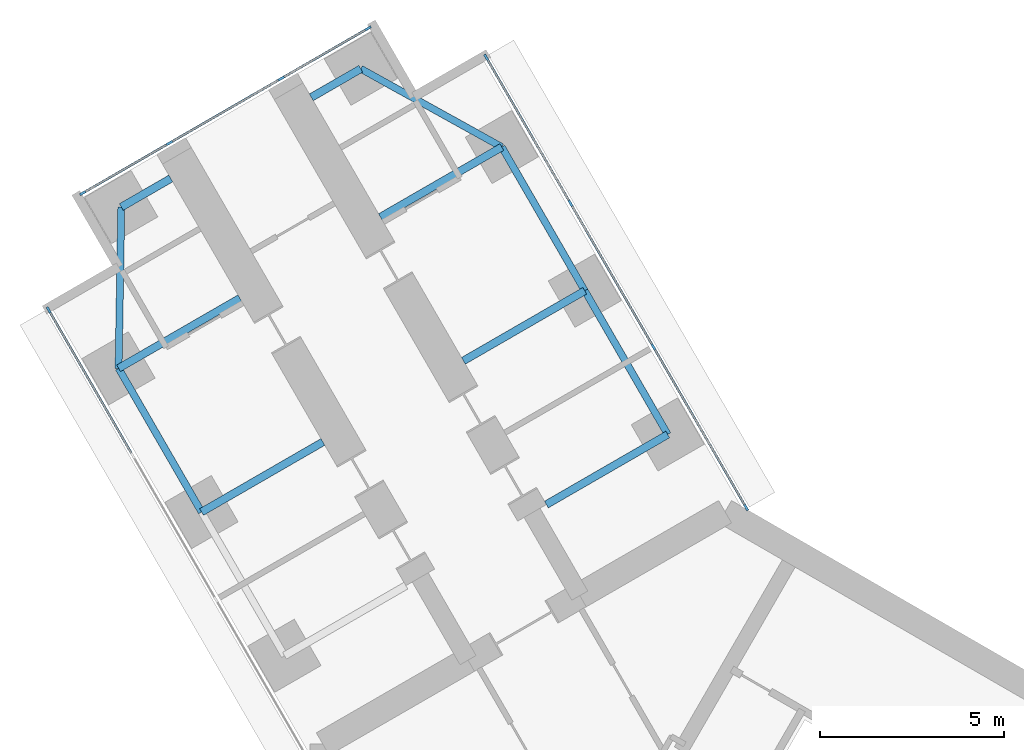
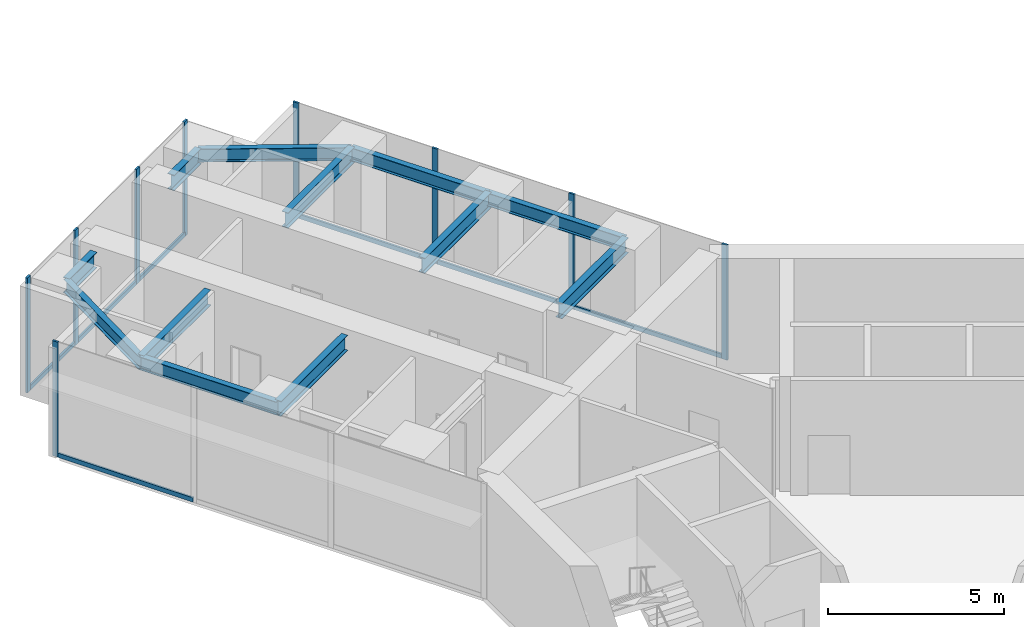
# One storey, part 7 of 24: 16 members, 12 beams, 3 elements without a shape of their own.
"""IFC4 building model written with IfcOpenShell, lengths in metres."""

from ifc_helpers import new_model, si_unit, direction, frame, origin, origin_2d, place, context, subcontext, project, spatial, rectangle, i_section, extrude, material, material_profile, profile_set, type_object, element, aggregate, save


model = new_model("IFC4")

# Units and contexts
model_context = context("Model", 3, precision=1e-05, world=origin(), true_north=direction((0.0, 1.0)))
body_context = subcontext(model_context, "Body", "Model", "MODEL_VIEW")
ifc_project = project(units=[si_unit("LENGTHUNIT", "METRE"), si_unit("AREAUNIT", "SQUARE_METRE"), si_unit("VOLUMEUNIT", "CUBIC_METRE"), si_unit("PLANEANGLEUNIT", "RADIAN"), si_unit("MASSUNIT", "GRAM", prefix="KILO")], contexts=[model_context])

# Site, building, storey
site_placement = place(None, origin())
site = spatial("IfcSite", under=ifc_project, at=site_placement, CompositionType="ELEMENT")
building_placement = place(site_placement, origin())
building = spatial("IfcBuilding", under=site, at=building_placement, Name="Upepo Twin Towers", CompositionType="ELEMENT")
storey_placement = place(building_placement, frame((0.0, 0.0, 52.5)))
storey = spatial("IfcBuildingStorey", under=building, at=storey_placement, Name="L12", CompositionType="ELEMENT", Elevation=52.5)

# Beams
ifc_material_1 = material(Name="Steel S355", Category="steel")
ifc_material_profile_1 = material_profile(ifc_material_1, i_section(OverallWidth=0.1904296875, OverallDepth=0.45703125, WebThickness=0.009033203125, FlangeThickness=0.014404296875, FilletRadius=0.01025390625, at=origin_2d()), Name="UB 457x191x74")
ifc_profile_set_1 = profile_set([ifc_material_profile_1], Name="Steel S355")
beam_type_1 = type_object("IfcBeamType", Name="Beam UB 457x191x74", PredefinedType="BEAM", material=ifc_profile_set_1)
beam_1_placement = place(storey_placement, frame((-14.196044921875, 12.58837890625, 3.571533203125), z_axis=(-0.499990139034, 0.866031096941, 0.0), x_axis=(-0.866031096941, -0.499990139034, 0.0)))
element("IfcBeam", 1, at=beam_1_placement, inside=storey, type_object=beam_type_1, Name="T1 edge beam BL 18.0-22.5", PredefinedType="BEAM", context=body_context, shape_type="SweptSolid", body=[
    extrude(i_section(OverallWidth=0.1904296875, OverallDepth=0.45703125, WebThickness=0.009033203125, FlangeThickness=0.014404296875, FilletRadius=0.01025390625, at=origin_2d()), origin(), (0.0, 0.0, 1.0), 4.5),
])
beam_2_placement = place(storey_placement, frame((-16.446044921875, 16.485595703125, 3.571533203125), z_axis=(0.016803880528, 0.999858804832, 0.0), x_axis=(-0.999858804832, 0.016803880528, 0.0)))
element("IfcBeam", 2, at=beam_2_placement, inside=storey, type_object=beam_type_1, Name="T1 nose edge beam BL", PredefinedType="BEAM", context=body_context, shape_type="SweptSolid", body=[
    extrude(i_section(OverallWidth=0.1904296875, OverallDepth=0.45703125, WebThickness=0.009033203125, FlangeThickness=0.014404296875, FilletRadius=0.01025390625, at=origin_2d()), origin(), (0.0, 0.0, 1.0), 4.373291015625),
])
beam_3_placement = place(storey_placement, frame((-1.553955078125, 14.69140625, 3.571533203125), z_axis=(-0.500013631625, 0.866017533419, 0.0), x_axis=(-0.866017533419, -0.500013631625, 0.0)))
element("IfcBeam", 3, at=beam_3_placement, inside=storey, type_object=beam_type_1, Name="T1 edge beam BR 13.5-18.0", PredefinedType="BEAM", context=body_context, shape_type="SweptSolid", body=[
    extrude(i_section(OverallWidth=0.1904296875, OverallDepth=0.45703125, WebThickness=0.009033203125, FlangeThickness=0.014404296875, FilletRadius=0.01025390625, at=origin_2d()), origin(), (0.0, 0.0, 1.0), 4.499755859375),
])
beam_4_placement = place(storey_placement, frame((-3.803955078125, 18.58837890625, 3.571533203125), z_axis=(-0.499990139034, 0.866031096941, 0.0), x_axis=(-0.866031096941, -0.499990139034, 0.0)))
element("IfcBeam", 4, at=beam_4_placement, inside=storey, type_object=beam_type_1, Name="T1 edge beam BR 18.0-22.5", PredefinedType="BEAM", context=body_context, shape_type="SweptSolid", body=[
    extrude(i_section(OverallWidth=0.1904296875, OverallDepth=0.45703125, WebThickness=0.009033203125, FlangeThickness=0.014404296875, FilletRadius=0.01025390625, at=origin_2d()), origin(), (0.0, 0.0, 1.0), 4.5),
])
beam_5_placement = place(storey_placement, frame((-6.053955078125, 22.485595703125, 3.571533203125), z_axis=(-0.874312600038, 0.485363242752, 0.0), x_axis=(-0.485363242752, -0.874312600038, 0.0)))
element("IfcBeam", 5, at=beam_5_placement, inside=storey, type_object=beam_type_1, Name="T1 nose edge beam BR", PredefinedType="BEAM", context=body_context, shape_type="SweptSolid", body=[
    extrude(i_section(OverallWidth=0.1904296875, OverallDepth=0.45703125, WebThickness=0.009033203125, FlangeThickness=0.014404296875, FilletRadius=0.01025390625, at=origin_2d()), origin(), (0.0, 0.0, 1.0), 4.373046875),
])
ifc_material_2 = material(Name="Steel S355", Category="steel")
ifc_material_profile_2 = material_profile(ifc_material_2, i_section(OverallWidth=0.2119140625, OverallDepth=0.54443359375, WebThickness=0.0126953125, FlangeThickness=0.021240234375, FilletRadius=0.0126953125, at=origin_2d()), Name="UB 533x210x122")
ifc_profile_set_2 = profile_set([ifc_material_profile_2], Name="Steel S355")
beam_type_2 = type_object("IfcBeamType", Name="Beam UB 533x210x122", PredefinedType="BEAM", material=ifc_profile_set_2)
for number, where, z_axis, x_axis, name in (
    (6, (-16.37255859375, 20.858154296875, 3.52783203125), (0.866043940782, 0.499967891604, 0.0), (-0.499967891604, 0.866043940782, 0.0), "T1 nose beam BL"),
    (7, (-9.87744140625, 24.608154296875, 3.52783203125), (-0.866043940782, -0.499967891604, 0.0), (0.499967891604, -0.866043940782, 0.0), "T1 nose beam BR"),
):
    element("IfcBeam", number, at=place(storey_placement, frame(where, z_axis=z_axis, x_axis=x_axis)), inside=storey, type_object=beam_type_2, Name=name, PredefinedType="BEAM", context=body_context, shape_type="SweptSolid", body=[
        extrude(i_section(OverallWidth=0.2119140625, OverallDepth=0.54443359375, WebThickness=0.0126953125, FlangeThickness=0.021240234375, FilletRadius=0.0126953125, at=origin_2d()), origin(), (0.0, 0.0, 1.0), 1.5498046875),
    ])
ifc_material_3 = material(Name="Steel S355", Category="steel")
ifc_material_profile_3 = material_profile(ifc_material_3, i_section(OverallWidth=0.209228515625, OverallDepth=0.533203125, WebThickness=0.010009765625, FlangeThickness=0.015625, FilletRadius=0.0126953125, at=origin_2d()), Name="UB 533x210x92")
ifc_profile_set_3 = profile_set([ifc_material_profile_3], Name="Steel S355")
beam_type_3 = type_object("IfcBeamType", Name="Beam UB 533x210x92", PredefinedType="BEAM", material=ifc_profile_set_3)
beam_6_placement = place(storey_placement, frame((-14.196044921875, 12.58837890625, 3.533447265625), z_axis=(0.866000483506, 0.500043160704, 0.0), x_axis=(-0.500043160704, 0.866000483506, 0.0)))
element("IfcBeam", 8, at=beam_6_placement, inside=storey, type_object=beam_type_3, Name="T1 girder BL at 18.0", PredefinedType="BEAM", context=body_context, shape_type="SweptSolid", body=[
    extrude(i_section(OverallWidth=0.209228515625, OverallDepth=0.533203125, WebThickness=0.010009765625, FlangeThickness=0.015625, FilletRadius=0.0126953125, at=origin_2d()), origin(), (0.0, 0.0, 1.0), 3.800048828125),
])
beam_7_placement = place(storey_placement, frame((-16.446044921875, 16.485595703125, 3.533447265625), z_axis=(0.866028304915, 0.499994975061, 0.0), x_axis=(-0.499994975061, 0.866028304915, 0.0)))
element("IfcBeam", 9, at=beam_7_placement, inside=storey, type_object=beam_type_3, Name="T1 girder BL at 22.5", PredefinedType="BEAM", context=body_context, shape_type="SweptSolid", body=[
    extrude(i_section(OverallWidth=0.209228515625, OverallDepth=0.533203125, WebThickness=0.010009765625, FlangeThickness=0.015625, FilletRadius=0.0126953125, at=origin_2d()), origin(), (0.0, 0.0, 1.0), 3.7998046875),
])
beam_8_placement = place(storey_placement, frame((-1.553955078125, 14.69140625, 3.533447265625), z_axis=(-0.866000483506, -0.500043160704, 0.0), x_axis=(0.500043160704, -0.866000483506, 0.0)))
element("IfcBeam", 10, at=beam_8_placement, inside=storey, type_object=beam_type_3, Name="T1 girder BR at 13.5", PredefinedType="BEAM", context=body_context, shape_type="SweptSolid", body=[
    extrude(i_section(OverallWidth=0.209228515625, OverallDepth=0.533203125, WebThickness=0.010009765625, FlangeThickness=0.015625, FilletRadius=0.0126953125, at=origin_2d()), origin(), (0.0, 0.0, 1.0), 3.800048828125),
])
for number, where, z_axis, x_axis, name in (
    (11, (-3.803955078125, 18.58837890625, 3.533447265625), (-0.866028304915, -0.499994975061, 0.0), (0.499994975061, -0.866028304915, 0.0), "T1 girder BR at 18.0"),
    (12, (-6.053955078125, 22.485595703125, 3.533447265625), (-0.866028304915, -0.499994975061, 0.0), (0.499994975061, -0.866028304915, 0.0), "T1 girder BR at 22.5"),
):
    element("IfcBeam", number, at=place(storey_placement, frame(where, z_axis=z_axis, x_axis=x_axis)), inside=storey, type_object=beam_type_3, Name=name, PredefinedType="BEAM", context=body_context, shape_type="SweptSolid", body=[
        extrude(i_section(OverallWidth=0.209228515625, OverallDepth=0.533203125, WebThickness=0.010009765625, FlangeThickness=0.015625, FilletRadius=0.0126953125, at=origin_2d()), origin(), (0.0, 0.0, 1.0), 3.7998046875),
    ])

# Curtain wall, member
ifc_material_4 = material(Name="Aluminium and fritted glass", Category="aluminium")
curtain_wall_type = type_object("IfcCurtainWallType", Name="Tower curtain wall TW1, fritted glass", PredefinedType="NOTDEFINED", material=ifc_material_4)
curtain_wall_1_placement = place(storey_placement, origin())
curtain_wall_1 = element("IfcCurtainWall", 13, at=curtain_wall_1_placement, inside=storey, type_object=curtain_wall_type, Name="T1 L12 wing B flank L curtain wall", PredefinedType="NOTDEFINED")
ifc_material_5 = material(Name="Aluminium mullion", Category="aluminium")
ifc_material_profile_4 = material_profile(ifc_material_5, rectangle(XDim=0.06494140625, YDim=0.179931640625, at=origin_2d()), Name="MULLION 65x180")
ifc_profile_set_4 = profile_set([ifc_material_profile_4], Name="Aluminium mullion")
member_type_1 = type_object("IfcMemberType", Name="Mullion 65x180 TW1", PredefinedType="MULLION", material=ifc_profile_set_4)
member_1_placement = place(storey_placement, frame((-18.341064453125, 18.067626953125, 0.0), z_axis=(0.0, 0.0, 1.0), x_axis=(-0.866025389682, -0.500000024426, 0.0)))
member_1 = element("IfcMember", 14, at=member_1_placement, type_object=member_type_1, Name="T1 L12 wing B flank L curtain wall mullion 4", PredefinedType="MULLION", context=body_context, shape_type="SweptSolid", body=[
    extrude(rectangle(XDim=0.06494140625, YDim=0.179931640625, at=origin_2d()), origin(), (0.0, 0.0, 1.0), 4.0),
])

# Curtain wall, members
curtain_wall_2_placement = place(storey_placement, origin())
curtain_wall_2 = element("IfcCurtainWall", 15, at=curtain_wall_2_placement, inside=storey, type_object=curtain_wall_type, Name="T1 L12 wing B flank R curtain wall", PredefinedType="NOTDEFINED")
member_2_placement = place(storey_placement, frame((-6.4765625, 24.91748046875, 0.0), z_axis=(0.0, 0.0, 1.0), x_axis=(0.866025389682, 0.500000024426, 0.0)))
member_2 = element("IfcMember", 16, at=member_2_placement, type_object=member_type_1, Name="T1 L12 wing B flank R curtain wall mullion 1", PredefinedType="MULLION", context=body_context, shape_type="SweptSolid", body=[
    extrude(rectangle(XDim=0.06494140625, YDim=0.179931640625, at=origin_2d()), origin(), (0.0, 0.0, 1.0), 4.0),
])
member_3_placement = place(storey_placement, frame((-4.192626953125, 20.9619140625, 0.0), z_axis=(0.0, 0.0, 1.0), x_axis=(0.866025389682, 0.500000024426, 0.0)))
member_3 = element("IfcMember", 17, at=member_3_placement, type_object=member_type_1, Name="T1 L12 wing B flank R curtain wall mullion 2", PredefinedType="MULLION", context=body_context, shape_type="SweptSolid", body=[
    extrude(rectangle(XDim=0.06494140625, YDim=0.179931640625, at=origin_2d()), origin(), (0.0, 0.0, 1.0), 4.0),
])
member_4_placement = place(storey_placement, frame((-1.942626953125, 17.06494140625, 0.0), z_axis=(0.0, 0.0, 1.0), x_axis=(0.866025389682, 0.500000024426, 0.0)))
member_4 = element("IfcMember", 18, at=member_4_placement, type_object=member_type_1, Name="T1 L12 wing B flank R curtain wall mullion 3", PredefinedType="MULLION", context=body_context, shape_type="SweptSolid", body=[
    extrude(rectangle(XDim=0.06494140625, YDim=0.179931640625, at=origin_2d()), origin(), (0.0, 0.0, 1.0), 4.0),
])
member_5_placement = place(storey_placement, frame((0.572509765625, 12.70849609375, 0.0), z_axis=(0.0, 0.0, 1.0), x_axis=(0.866025389682, 0.500000024426, 0.0)))
member_5 = element("IfcMember", 19, at=member_5_placement, type_object=member_type_1, Name="T1 L12 wing B flank R curtain wall mullion 4", PredefinedType="MULLION", context=body_context, shape_type="SweptSolid", body=[
    extrude(rectangle(XDim=0.06494140625, YDim=0.179931640625, at=origin_2d()), origin(), (0.0, 0.0, 1.0), 4.0),
])

curtain_wall_3_placement = place(storey_placement, origin())
curtain_wall_3 = element("IfcCurtainWall", 20, at=curtain_wall_3_placement, inside=storey, type_object=curtain_wall_type, Name="T1 L12 wing B nose curtain wall", PredefinedType="NOTDEFINED")
member_6_placement = place(storey_placement, frame((-9.68115234375, 25.703125, 0.0), z_axis=(0.0, 0.0, 1.0), x_axis=(0.500000030502, -0.866025386174, 0.0)))
member_6 = element("IfcMember", 21, at=member_6_placement, type_object=member_type_1, Name="T1 L12 wing B nose curtain wall mullion 1", PredefinedType="MULLION", context=body_context, shape_type="SweptSolid", body=[
    extrude(rectangle(XDim=0.06494140625, YDim=0.179931640625, at=origin_2d()), origin(), (0.0, 0.0, 1.0), 4.0),
])
member_7_placement = place(storey_placement, frame((-12.034423828125, 24.34423828125, 0.0), z_axis=(0.0, 0.0, 1.0), x_axis=(0.500000030502, -0.866025386174, 0.0)))
member_7 = element("IfcMember", 22, at=member_7_placement, type_object=member_type_1, Name="T1 L12 wing B nose curtain wall mullion 2", PredefinedType="MULLION", context=body_context, shape_type="SweptSolid", body=[
    extrude(rectangle(XDim=0.06494140625, YDim=0.179931640625, at=origin_2d()), origin(), (0.0, 0.0, 1.0), 4.0),
])
member_8_placement = place(storey_placement, frame((-15.0654296875, 22.59423828125, 0.0), z_axis=(0.0, 0.0, 1.0), x_axis=(0.500000030502, -0.866025386174, 0.0)))
member_8 = element("IfcMember", 23, at=member_8_placement, type_object=member_type_1, Name="T1 L12 wing B nose curtain wall mullion 3", PredefinedType="MULLION", context=body_context, shape_type="SweptSolid", body=[
    extrude(rectangle(XDim=0.06494140625, YDim=0.179931640625, at=origin_2d()), origin(), (0.0, 0.0, 1.0), 4.0),
])
member_9_placement = place(storey_placement, frame((-17.4189453125, 21.235595703125, 0.0), z_axis=(0.0, 0.0, 1.0), x_axis=(0.500000030502, -0.866025386174, 0.0)))
member_9 = element("IfcMember", 24, at=member_9_placement, type_object=member_type_1, Name="T1 L12 wing B nose curtain wall mullion 4", PredefinedType="MULLION", context=body_context, shape_type="SweptSolid", body=[
    extrude(rectangle(XDim=0.06494140625, YDim=0.179931640625, at=origin_2d()), origin(), (0.0, 0.0, 1.0), 4.0),
])

# Member
ifc_material_6 = material(Name="Aluminium transom", Category="aluminium")
ifc_material_profile_5 = material_profile(ifc_material_6, rectangle(XDim=0.06494140625, YDim=0.14990234375, at=origin_2d()), Name="TRANSOM 65x150")
ifc_profile_set_5 = profile_set([ifc_material_profile_5], Name="Aluminium transom")
member_type_2 = type_object("IfcMemberType", Name="Transom 65x150 TW1", PredefinedType="USERDEFINED", material=ifc_profile_set_5)
member_10_placement = place(storey_placement, frame((-16.073486328125, 14.14013671875, 0.074951171875), z_axis=(-0.499982167615, 0.866035699072, 0.0), x_axis=(-0.866035699072, -0.499982167615, 0.0)))
member_10 = element("IfcMember", 25, at=member_10_placement, type_object=member_type_2, Name="T1 L12 wing B flank L curtain wall transom 3", ObjectType="TRANSOM", PredefinedType="USERDEFINED", context=body_context, shape_type="SweptSolid", body=[
    extrude(rectangle(XDim=0.06494140625, YDim=0.14990234375, at=origin_2d()), origin(), (0.0, 0.0, 1.0), 4.502685546875),
])

aggregate(curtain_wall_1, [member_1, member_10])

member_11_placement = place(storey_placement, frame((-6.460205078125, 24.889404296875, 0.074951171875), z_axis=(0.500005646842, -0.866022143554, 0.0), x_axis=(0.866022143554, 0.500005646842, 0.0)))
member_11 = element("IfcMember", 26, at=member_11_placement, type_object=member_type_2, Name="T1 L12 wing B flank R curtain wall transom 1", ObjectType="TRANSOM", PredefinedType="USERDEFINED", context=body_context, shape_type="SweptSolid", body=[
    extrude(rectangle(XDim=0.06494140625, YDim=0.14990234375, at=origin_2d()), origin(), (0.0, 0.0, 1.0), 4.50244140625),
])

member_12_placement = place(storey_placement, frame((-4.176513671875, 20.933837890625, 0.074951171875), z_axis=(0.500005184116, -0.866022410713, 0.0), x_axis=(0.866022410713, 0.500005184116, 0.0)))
member_12 = element("IfcMember", 27, at=member_12_placement, type_object=member_type_2, Name="T1 L12 wing B flank R curtain wall transom 2", ObjectType="TRANSOM", PredefinedType="USERDEFINED", context=body_context, shape_type="SweptSolid", body=[
    extrude(rectangle(XDim=0.06494140625, YDim=0.14990234375, at=origin_2d()), origin(), (0.0, 0.0, 1.0), 4.43505859375),
])

member_13_placement = place(storey_placement, frame((-1.926513671875, 17.036865234375, 0.074951171875), z_axis=(0.499983492876, -0.866034933967, 0.0), x_axis=(0.866034933967, 0.499983492876, 0.0)))
member_13 = element("IfcMember", 28, at=member_13_placement, type_object=member_type_2, Name="T1 L12 wing B flank R curtain wall transom 3", ObjectType="TRANSOM", PredefinedType="USERDEFINED", context=body_context, shape_type="SweptSolid", body=[
    extrude(rectangle(XDim=0.06494140625, YDim=0.14990234375, at=origin_2d()), origin(), (0.0, 0.0, 1.0), 4.965576171875),
])

aggregate(curtain_wall_2, [member_2, member_3, member_4, member_5, member_11, member_12, member_13])

member_14_placement = place(storey_placement, frame((-9.709228515625, 25.686767578125, 0.074951171875), z_axis=(-0.866036909293, -0.499980071345, 0.0), x_axis=(0.499980071345, -0.866036909293, 0.0)))
member_14 = element("IfcMember", 29, at=member_14_placement, type_object=member_type_2, Name="T1 L12 wing B nose curtain wall transom 1", ObjectType="TRANSOM", PredefinedType="USERDEFINED", context=body_context, shape_type="SweptSolid", body=[
    extrude(rectangle(XDim=0.06494140625, YDim=0.14990234375, at=origin_2d()), origin(), (0.0, 0.0, 1.0), 2.65234375),
])

member_15_placement = place(storey_placement, frame((-12.0625, 24.328125, 0.074951171875), z_axis=(-0.866025804792, -0.499999305434, 0.0), x_axis=(0.499999305434, -0.866025804792, 0.0)))
member_15 = element("IfcMember", 30, at=member_15_placement, type_object=member_type_2, Name="T1 L12 wing B nose curtain wall transom 2", ObjectType="TRANSOM", PredefinedType="USERDEFINED", context=body_context, shape_type="SweptSolid", body=[
    extrude(rectangle(XDim=0.06494140625, YDim=0.14990234375, at=origin_2d()), origin(), (0.0, 0.0, 1.0), 3.43505859375),
])

member_16_placement = place(storey_placement, frame((-15.09375, 22.578125, 0.074951171875), z_axis=(-0.865997053448, -0.500049101008, 0.0), x_axis=(0.500049101008, -0.865997053448, 0.0)))
member_16 = element("IfcMember", 31, at=member_16_placement, type_object=member_type_2, Name="T1 L12 wing B nose curtain wall transom 3", ObjectType="TRANSOM", PredefinedType="USERDEFINED", context=body_context, shape_type="SweptSolid", body=[
    extrude(rectangle(XDim=0.06494140625, YDim=0.14990234375, at=origin_2d()), origin(), (0.0, 0.0, 1.0), 2.652587890625),
])

aggregate(curtain_wall_3, [member_6, member_7, member_8, member_9, member_14, member_15, member_16])

save(model, "model.ifc")
